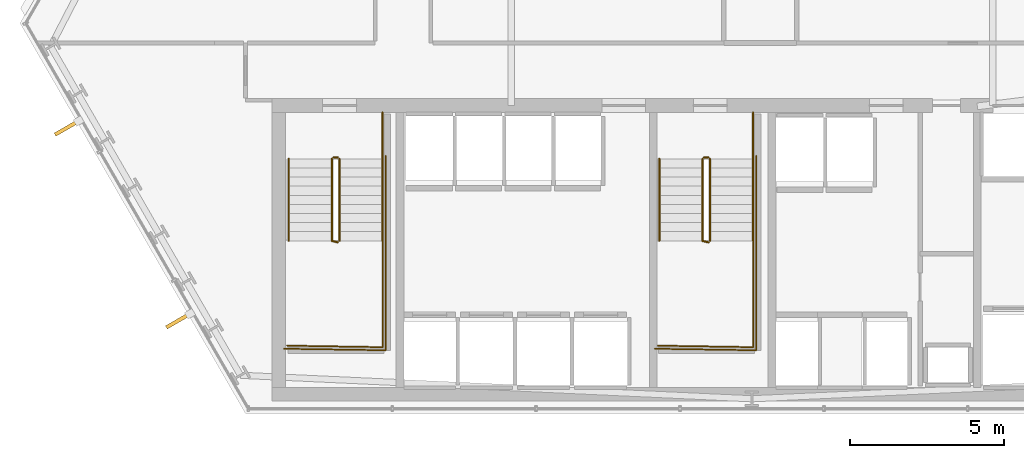
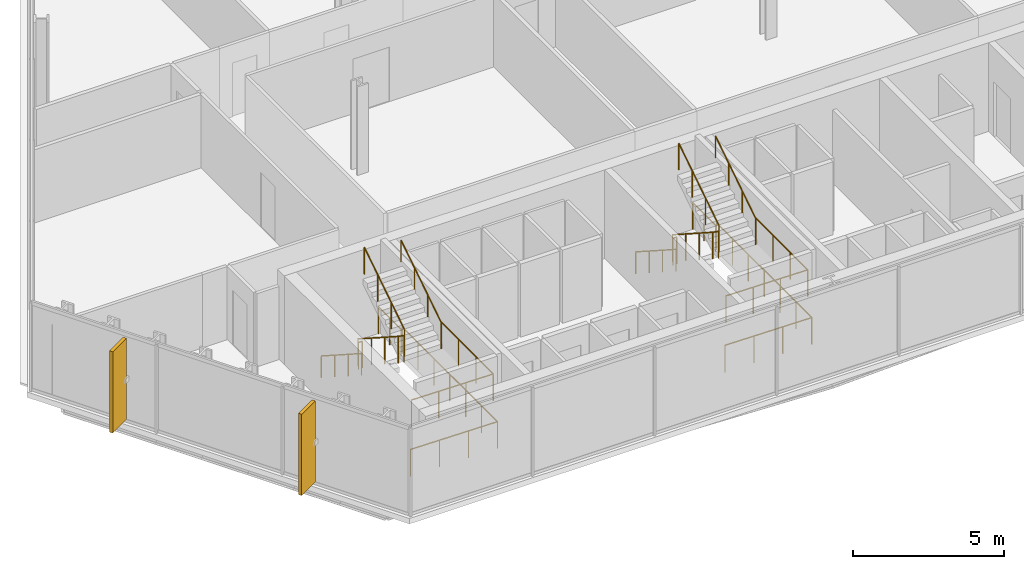
# One storey, part 30 of 33: 16 railings, 2 shading devices.
"""IFC4 building model written with IfcOpenShell, lengths in metres."""

from ifc_helpers import new_model, si_unit, direction, frame, origin, origin_2d, place, context, subcontext, project, spatial, rectangle, circle, extrude, material, layer, layer_set, type_object, element, save


model = new_model("IFC4")

# Units and contexts
model_context = context("Model", 3, precision=1e-05, world=origin(), true_north=direction((0.0, 1.0)))
body_context = subcontext(model_context, "Body", "Model", "MODEL_VIEW")
ifc_project = project(units=[si_unit("LENGTHUNIT", "METRE"), si_unit("AREAUNIT", "SQUARE_METRE"), si_unit("VOLUMEUNIT", "CUBIC_METRE"), si_unit("PLANEANGLEUNIT", "RADIAN"), si_unit("MASSUNIT", "GRAM", prefix="KILO")], contexts=[model_context])

# Site, building, storey
site_placement = place(None, origin())
site = spatial("IfcSite", under=ifc_project, at=site_placement, CompositionType="ELEMENT")
building_placement = place(site_placement, origin())
building = spatial("IfcBuilding", under=site, at=building_placement, Name="Ndaravel Arena Tower", CompositionType="ELEMENT")
storey_placement = place(building_placement, frame((0.0, 0.0, 81.60009765625)))
storey = spatial("IfcBuildingStorey", under=building, at=storey_placement, Name="L18", CompositionType="ELEMENT", Elevation=81.60009765625)

# Railings
ifc_material_1 = material(Name="Steel S355", Category="steel")
ifc_layer_1 = layer(ifc_material_1, 0.06005859375)
ifc_layer_set_1 = layer_set([ifc_layer_1], Name="Steel S355")
railing_type_1 = type_object("IfcRailingType", Name="RAIL-STAIR-GD1100", PredefinedType="GUARDRAIL", material=ifc_layer_set_1)
railing_1_placement = place(storey_placement, frame((28.39990234375, 13.25, 0.18994140625)))
element("IfcRailing", 1, at=railing_1_placement, inside=storey, type_object=railing_type_1, Name="L18 ST-1 stair guard 1", PredefinedType="GUARDRAIL", context=body_context, shape_type="SweptSolid", body=[
    extrude(circle(Radius=0.02392578125, at=origin_2d()), frame((0.0, 0.0, 1.076171875), z_axis=(0.0, -0.840723540582, 0.54146461409), x_axis=(1.0, 0.0, 0.0)), (0.0, 0.0, 1.0), 3.157958984375),
    extrude(circle(Radius=0.02392578125, at=origin_2d()), frame((0.0, -2.655029296875, 2.7861328125), z_axis=(0.967074537263, -0.25449329928, 0.0), x_axis=(0.25449329928, 0.967074537263, 0.0)), (0.0, 0.0, 1.0), 0.19677734375),
    extrude(circle(Radius=0.02099609375, at=origin_2d()), origin(), (0.0, 0.0, 1.0), 1.052001953125),
    extrude(circle(Radius=0.02099609375, at=origin_2d()), frame((0.0, -0.885009765625, 0.570068359375)), (0.0, 0.0, 1.0), 1.052001953125),
    extrude(circle(Radius=0.02099609375, at=origin_2d()), frame((0.0, -1.77001953125, 1.139892578125)), (0.0, 0.0, 1.0), 1.052001953125),
    extrude(circle(Radius=0.02099609375, at=origin_2d()), frame((0.0, -2.655029296875, 1.7099609375)), (0.0, 0.0, 1.0), 1.052001953125),
    extrude(circle(Radius=0.02099609375, at=origin_2d()), frame((0.190185546875, -2.705078125, 1.7099609375)), (0.0, 0.0, 1.0), 1.052001953125),
])
railing_2_placement = place(storey_placement, frame((30.0400390625, 10.594970703125, 1.89990234375)))
element("IfcRailing", 2, at=railing_2_placement, inside=storey, type_object=railing_type_1, Name="L18 ST-1 stair guard 2", PredefinedType="GUARDRAIL", context=body_context, shape_type="SweptSolid", body=[
    extrude(circle(Radius=0.02392578125, at=origin_2d()), frame((0.0, 0.0, 1.076171875), z_axis=(0.0, -1.0, 0.0), x_axis=(1.0, 0.0, 0.0)), (0.0, 0.0, 1.0), 3.445068359375),
    extrude(circle(Radius=0.02392578125, at=origin_2d()), frame((0.0, -3.445068359375, 1.076171875), z_axis=(-0.999868861343, 0.016194447071, 0.0), x_axis=(-0.016194447071, -0.999868861343, 0.0)), (0.0, 0.0, 1.0), 3.090576171875),
    extrude(circle(Radius=0.02099609375, at=origin_2d()), origin(), (0.0, 0.0, 1.0), 1.052001953125),
    extrude(circle(Radius=0.02099609375, at=origin_2d()), frame((0.0, -1.1484375, 0.0)), (0.0, 0.0, 1.0), 1.052001953125),
    extrude(circle(Radius=0.02099609375, at=origin_2d()), frame((0.0, -2.296630859375, 0.0)), (0.0, 0.0, 1.0), 1.052001953125),
    extrude(circle(Radius=0.02099609375, at=origin_2d()), frame((0.0, -3.445068359375, 0.0)), (0.0, 0.0, 1.0), 1.052001953125),
    extrude(circle(Radius=0.02099609375, at=origin_2d()), frame((-1.030029296875, -3.428466796875, 0.0)), (0.0, 0.0, 1.0), 1.052001953125),
    extrude(circle(Radius=0.02099609375, at=origin_2d()), frame((-2.06005859375, -3.41162109375, 0.0)), (0.0, 0.0, 1.0), 1.052001953125),
    extrude(circle(Radius=0.02099609375, at=origin_2d()), frame((-3.090087890625, -3.39501953125, 0.0)), (0.0, 0.0, 1.0), 1.052001953125),
])
railing_3_placement = place(storey_placement, frame((28.639892578125, 10.594970703125, 2.08984375)))
element("IfcRailing", 3, at=railing_3_placement, inside=storey, type_object=railing_type_1, Name="L18 ST-1 stair guard 3", PredefinedType="GUARDRAIL", context=body_context, shape_type="SweptSolid", body=[
    extrude(circle(Radius=0.02392578125, at=origin_2d()), frame((0.0, 0.0, 1.076171875), z_axis=(0.0, 0.840723540582, 0.54146461409), x_axis=(-1.0, 0.0, 0.0)), (0.0, 0.0, 1.0), 3.157958984375),
    extrude(circle(Radius=0.02099609375, at=origin_2d()), origin(), (0.0, 0.0, 1.0), 1.052001953125),
    extrude(circle(Radius=0.02099609375, at=origin_2d()), frame((0.0, 0.885009765625, 0.570068359375)), (0.0, 0.0, 1.0), 1.052001953125),
    extrude(circle(Radius=0.02099609375, at=origin_2d()), frame((0.0, 1.77001953125, 1.139892578125)), (0.0, 0.0, 1.0), 1.052001953125),
    extrude(circle(Radius=0.02099609375, at=origin_2d()), frame((0.0, 2.655029296875, 1.7099609375)), (0.0, 0.0, 1.0), 1.052001953125),
])
railing_4_placement = place(storey_placement, frame((28.449951171875, 13.300048828125, 0.0)))
element("IfcRailing", 4, at=railing_4_placement, inside=storey, type_object=railing_type_1, Name="L18 ST-1 stair guard 4", PredefinedType="GUARDRAIL", context=body_context, shape_type="SweptSolid", body=[
    extrude(circle(Radius=0.02392578125, at=origin_2d()), frame((0.0, 0.0, 1.076171875), z_axis=(1.0, 0.0, 0.0), x_axis=(0.0, 1.0, 0.0)), (0.0, 0.0, 1.0), 0.14013671875),
    extrude(circle(Radius=0.02099609375, at=origin_2d()), origin(), (0.0, 0.0, 1.0), 1.052001953125),
    extrude(circle(Radius=0.02099609375, at=origin_2d()), frame((0.14013671875, 0.0, 0.0)), (0.0, 0.0, 1.0), 1.052001953125),
])
railing_5_placement = place(storey_placement, frame((30.0400390625, 14.75, 0.0)))
element("IfcRailing", 5, at=railing_5_placement, inside=storey, type_object=railing_type_1, Name="L18 ST-1 stair guard 5", PredefinedType="GUARDRAIL", context=body_context, shape_type="SweptSolid", body=[
    extrude(circle(Radius=0.02392578125, at=origin_2d()), frame((0.0, 0.0, 1.076171875), z_axis=(0.0, -1.0, 0.0), x_axis=(1.0, 0.0, 0.0)), (0.0, 0.0, 1.0), 1.5),
    extrude(circle(Radius=0.02099609375, at=origin_2d()), origin(), (0.0, 0.0, 1.0), 1.052001953125),
    extrude(circle(Radius=0.02099609375, at=origin_2d()), frame((0.0, -0.75, 0.0)), (0.0, 0.0, 1.0), 1.052001953125),
    extrude(circle(Radius=0.02099609375, at=origin_2d()), frame((0.0, -1.5, 0.0)), (0.0, 0.0, 1.0), 1.052001953125),
])
railing_6_placement = place(storey_placement, frame((30.139892578125, 13.35009765625, 0.0)))
element("IfcRailing", 6, at=railing_6_placement, inside=storey, type_object=railing_type_1, Name="L18 ST-1 stair guard 6", PredefinedType="GUARDRAIL", context=body_context, shape_type="SweptSolid", body=[
    extrude(circle(Radius=0.02392578125, at=origin_2d()), frame((0.0, 0.0, 1.076171875), z_axis=(0.0, -1.0, 0.0), x_axis=(1.0, 0.0, 0.0)), (0.0, 0.0, 1.0), 6.300048828125),
    extrude(circle(Radius=0.02392578125, at=origin_2d()), frame((0.0, -6.300048828125, 1.076171875), z_axis=(-0.999884296952, 0.015211597839, 0.0), x_axis=(-0.015211597839, -0.999884296952, 0.0)), (0.0, 0.0, 1.0), 3.290283203125),
    extrude(circle(Radius=0.02099609375, at=origin_2d()), origin(), (0.0, 0.0, 1.0), 1.052001953125),
    extrude(circle(Radius=0.02099609375, at=origin_2d()), frame((0.0, -1.050048828125, 0.0)), (0.0, 0.0, 1.0), 1.052001953125),
    extrude(circle(Radius=0.02099609375, at=origin_2d()), frame((0.0, -2.10009765625, 0.0)), (0.0, 0.0, 1.0), 1.052001953125),
    extrude(circle(Radius=0.02099609375, at=origin_2d()), frame((0.0, -3.14990234375, 0.0)), (0.0, 0.0, 1.0), 1.052001953125),
    extrude(circle(Radius=0.02099609375, at=origin_2d()), frame((0.0, -4.199951171875, 0.0)), (0.0, 0.0, 1.0), 1.052001953125),
    extrude(circle(Radius=0.02099609375, at=origin_2d()), frame((0.0, -5.25, 0.0)), (0.0, 0.0, 1.0), 1.052001953125),
    extrude(circle(Radius=0.02099609375, at=origin_2d()), frame((0.0, -6.300048828125, 0.0)), (0.0, 0.0, 1.0), 1.052001953125),
    extrude(circle(Radius=0.02099609375, at=origin_2d()), frame((-1.0966796875, -6.283447265625, 0.0)), (0.0, 0.0, 1.0), 1.052001953125),
    extrude(circle(Radius=0.02099609375, at=origin_2d()), frame((-2.193115234375, -6.2666015625, 0.0)), (0.0, 0.0, 1.0), 1.052001953125),
    extrude(circle(Radius=0.02099609375, at=origin_2d()), frame((-3.289794921875, -6.25, 0.0)), (0.0, 0.0, 1.0), 1.052001953125),
])
railing_7_placement = place(storey_placement, frame((40.39990234375, 13.25, 0.18994140625)))
element("IfcRailing", 7, at=railing_7_placement, inside=storey, type_object=railing_type_1, Name="L18 ST-2 stair guard 1", PredefinedType="GUARDRAIL", context=body_context, shape_type="SweptSolid", body=[
    extrude(circle(Radius=0.02392578125, at=origin_2d()), frame((0.0, 0.0, 1.076171875), z_axis=(0.0, -0.840723540582, 0.54146461409), x_axis=(1.0, 0.0, 0.0)), (0.0, 0.0, 1.0), 3.157958984375),
    extrude(circle(Radius=0.02392578125, at=origin_2d()), frame((0.0, -2.655029296875, 2.7861328125), z_axis=(0.967074537263, -0.25449329928, 0.0), x_axis=(0.25449329928, 0.967074537263, 0.0)), (0.0, 0.0, 1.0), 0.19677734375),
    extrude(circle(Radius=0.02099609375, at=origin_2d()), origin(), (0.0, 0.0, 1.0), 1.052001953125),
    extrude(circle(Radius=0.02099609375, at=origin_2d()), frame((0.0, -0.885009765625, 0.570068359375)), (0.0, 0.0, 1.0), 1.052001953125),
    extrude(circle(Radius=0.02099609375, at=origin_2d()), frame((0.0, -1.77001953125, 1.139892578125)), (0.0, 0.0, 1.0), 1.052001953125),
    extrude(circle(Radius=0.02099609375, at=origin_2d()), frame((0.0, -2.655029296875, 1.7099609375)), (0.0, 0.0, 1.0), 1.052001953125),
    extrude(circle(Radius=0.02099609375, at=origin_2d()), frame((0.190185546875, -2.705078125, 1.7099609375)), (0.0, 0.0, 1.0), 1.052001953125),
])
railing_8_placement = place(storey_placement, frame((42.0400390625, 10.594970703125, 1.89990234375)))
element("IfcRailing", 8, at=railing_8_placement, inside=storey, type_object=railing_type_1, Name="L18 ST-2 stair guard 2", PredefinedType="GUARDRAIL", context=body_context, shape_type="SweptSolid", body=[
    extrude(circle(Radius=0.02392578125, at=origin_2d()), frame((0.0, 0.0, 1.076171875), z_axis=(0.0, -1.0, 0.0), x_axis=(1.0, 0.0, 0.0)), (0.0, 0.0, 1.0), 3.445068359375),
    extrude(circle(Radius=0.02392578125, at=origin_2d()), frame((0.0, -3.445068359375, 1.076171875), z_axis=(-0.999868861343, 0.016194447071, 0.0), x_axis=(-0.016194447071, -0.999868861343, 0.0)), (0.0, 0.0, 1.0), 3.090576171875),
    extrude(circle(Radius=0.02099609375, at=origin_2d()), origin(), (0.0, 0.0, 1.0), 1.052001953125),
    extrude(circle(Radius=0.02099609375, at=origin_2d()), frame((0.0, -1.1484375, 0.0)), (0.0, 0.0, 1.0), 1.052001953125),
    extrude(circle(Radius=0.02099609375, at=origin_2d()), frame((0.0, -2.296630859375, 0.0)), (0.0, 0.0, 1.0), 1.052001953125),
    extrude(circle(Radius=0.02099609375, at=origin_2d()), frame((0.0, -3.445068359375, 0.0)), (0.0, 0.0, 1.0), 1.052001953125),
    extrude(circle(Radius=0.02099609375, at=origin_2d()), frame((-1.030029296875, -3.428466796875, 0.0)), (0.0, 0.0, 1.0), 1.052001953125),
    extrude(circle(Radius=0.02099609375, at=origin_2d()), frame((-2.06005859375, -3.41162109375, 0.0)), (0.0, 0.0, 1.0), 1.052001953125),
    extrude(circle(Radius=0.02099609375, at=origin_2d()), frame((-3.090087890625, -3.39501953125, 0.0)), (0.0, 0.0, 1.0), 1.052001953125),
])
railing_9_placement = place(storey_placement, frame((40.639892578125, 10.594970703125, 2.08984375)))
element("IfcRailing", 9, at=railing_9_placement, inside=storey, type_object=railing_type_1, Name="L18 ST-2 stair guard 3", PredefinedType="GUARDRAIL", context=body_context, shape_type="SweptSolid", body=[
    extrude(circle(Radius=0.02392578125, at=origin_2d()), frame((0.0, 0.0, 1.076171875), z_axis=(0.0, 0.840723540582, 0.54146461409), x_axis=(-1.0, 0.0, 0.0)), (0.0, 0.0, 1.0), 3.157958984375),
    extrude(circle(Radius=0.02099609375, at=origin_2d()), origin(), (0.0, 0.0, 1.0), 1.052001953125),
    extrude(circle(Radius=0.02099609375, at=origin_2d()), frame((0.0, 0.885009765625, 0.570068359375)), (0.0, 0.0, 1.0), 1.052001953125),
    extrude(circle(Radius=0.02099609375, at=origin_2d()), frame((0.0, 1.77001953125, 1.139892578125)), (0.0, 0.0, 1.0), 1.052001953125),
    extrude(circle(Radius=0.02099609375, at=origin_2d()), frame((0.0, 2.655029296875, 1.7099609375)), (0.0, 0.0, 1.0), 1.052001953125),
])
railing_10_placement = place(storey_placement, frame((40.449951171875, 13.300048828125, 0.0)))
element("IfcRailing", 10, at=railing_10_placement, inside=storey, type_object=railing_type_1, Name="L18 ST-2 stair guard 4", PredefinedType="GUARDRAIL", context=body_context, shape_type="SweptSolid", body=[
    extrude(circle(Radius=0.02392578125, at=origin_2d()), frame((0.0, 0.0, 1.076171875), z_axis=(1.0, 0.0, 0.0), x_axis=(0.0, 1.0, 0.0)), (0.0, 0.0, 1.0), 0.14013671875),
    extrude(circle(Radius=0.02099609375, at=origin_2d()), origin(), (0.0, 0.0, 1.0), 1.052001953125),
    extrude(circle(Radius=0.02099609375, at=origin_2d()), frame((0.14013671875, 0.0, 0.0)), (0.0, 0.0, 1.0), 1.052001953125),
])
railing_11_placement = place(storey_placement, frame((42.0400390625, 14.75, 0.0)))
element("IfcRailing", 11, at=railing_11_placement, inside=storey, type_object=railing_type_1, Name="L18 ST-2 stair guard 5", PredefinedType="GUARDRAIL", context=body_context, shape_type="SweptSolid", body=[
    extrude(circle(Radius=0.02392578125, at=origin_2d()), frame((0.0, 0.0, 1.076171875), z_axis=(0.0, -1.0, 0.0), x_axis=(1.0, 0.0, 0.0)), (0.0, 0.0, 1.0), 1.5),
    extrude(circle(Radius=0.02099609375, at=origin_2d()), origin(), (0.0, 0.0, 1.0), 1.052001953125),
    extrude(circle(Radius=0.02099609375, at=origin_2d()), frame((0.0, -0.75, 0.0)), (0.0, 0.0, 1.0), 1.052001953125),
    extrude(circle(Radius=0.02099609375, at=origin_2d()), frame((0.0, -1.5, 0.0)), (0.0, 0.0, 1.0), 1.052001953125),
])
railing_12_placement = place(storey_placement, frame((42.139892578125, 13.35009765625, 0.0)))
element("IfcRailing", 12, at=railing_12_placement, inside=storey, type_object=railing_type_1, Name="L18 ST-2 stair guard 6", PredefinedType="GUARDRAIL", context=body_context, shape_type="SweptSolid", body=[
    extrude(circle(Radius=0.02392578125, at=origin_2d()), frame((0.0, 0.0, 1.076171875), z_axis=(0.0, -1.0, 0.0), x_axis=(1.0, 0.0, 0.0)), (0.0, 0.0, 1.0), 6.300048828125),
    extrude(circle(Radius=0.02392578125, at=origin_2d()), frame((0.0, -6.300048828125, 1.076171875), z_axis=(-0.999884296952, 0.015211597839, 0.0), x_axis=(-0.015211597839, -0.999884296952, 0.0)), (0.0, 0.0, 1.0), 3.290283203125),
    extrude(circle(Radius=0.02099609375, at=origin_2d()), origin(), (0.0, 0.0, 1.0), 1.052001953125),
    extrude(circle(Radius=0.02099609375, at=origin_2d()), frame((0.0, -1.050048828125, 0.0)), (0.0, 0.0, 1.0), 1.052001953125),
    extrude(circle(Radius=0.02099609375, at=origin_2d()), frame((0.0, -2.10009765625, 0.0)), (0.0, 0.0, 1.0), 1.052001953125),
    extrude(circle(Radius=0.02099609375, at=origin_2d()), frame((0.0, -3.14990234375, 0.0)), (0.0, 0.0, 1.0), 1.052001953125),
    extrude(circle(Radius=0.02099609375, at=origin_2d()), frame((0.0, -4.199951171875, 0.0)), (0.0, 0.0, 1.0), 1.052001953125),
    extrude(circle(Radius=0.02099609375, at=origin_2d()), frame((0.0, -5.25, 0.0)), (0.0, 0.0, 1.0), 1.052001953125),
    extrude(circle(Radius=0.02099609375, at=origin_2d()), frame((0.0, -6.300048828125, 0.0)), (0.0, 0.0, 1.0), 1.052001953125),
    extrude(circle(Radius=0.02099609375, at=origin_2d()), frame((-1.0966796875, -6.283447265625, 0.0)), (0.0, 0.0, 1.0), 1.052001953125),
    extrude(circle(Radius=0.02099609375, at=origin_2d()), frame((-2.193115234375, -6.2666015625, 0.0)), (0.0, 0.0, 1.0), 1.052001953125),
    extrude(circle(Radius=0.02099609375, at=origin_2d()), frame((-3.289794921875, -6.25, 0.0)), (0.0, 0.0, 1.0), 1.052001953125),
])
ifc_material_2 = material(Name="Steel S355", Category="steel")
ifc_layer_2 = layer(ifc_material_2, 0.050048828125)
ifc_layer_set_2 = layer_set([ifc_layer_2], Name="Steel S355")
railing_type_2 = type_object("IfcRailingType", Name="RAIL-STAIR-HR920", PredefinedType="HANDRAIL", material=ifc_layer_set_2)
railing_13_placement = place(storey_placement, frame((27.0, 13.25, 0.18994140625)))
element("IfcRailing", 13, at=railing_13_placement, inside=storey, type_object=railing_type_2, Name="L18 ST-1 stair handrail 1", PredefinedType="HANDRAIL", context=body_context, shape_type="SweptSolid", body=[
    extrude(circle(Radius=0.02392578125, at=origin_2d()), frame((0.0, 0.0, 0.8759765625), z_axis=(0.0, -0.840723540582, 0.54146461409), x_axis=(1.0, 0.0, 0.0)), (0.0, 0.0, 1.0), 3.157958984375),
    extrude(circle(Radius=0.02099609375, at=origin_2d()), origin(), (0.0, 0.0, 1.0), 0.851806640625),
    extrude(circle(Radius=0.02099609375, at=origin_2d()), frame((0.0, -0.885009765625, 0.570068359375)), (0.0, 0.0, 1.0), 0.851806640625),
    extrude(circle(Radius=0.02099609375, at=origin_2d()), frame((0.0, -1.77001953125, 1.139892578125)), (0.0, 0.0, 1.0), 0.851806640625),
    extrude(circle(Radius=0.02099609375, at=origin_2d()), frame((0.0, -2.655029296875, 1.7099609375)), (0.0, 0.0, 1.0), 0.851806640625),
])
railing_14_placement = place(storey_placement, frame((30.0400390625, 10.594970703125, 2.08984375)))
element("IfcRailing", 14, at=railing_14_placement, inside=storey, type_object=railing_type_2, Name="L18 ST-1 stair handrail 2", PredefinedType="HANDRAIL", context=body_context, shape_type="SweptSolid", body=[
    extrude(circle(Radius=0.02392578125, at=origin_2d()), frame((0.0, 0.0, 0.8759765625), z_axis=(0.0, 0.840723540582, 0.54146461409), x_axis=(-1.0, 0.0, 0.0)), (0.0, 0.0, 1.0), 3.157958984375),
    extrude(circle(Radius=0.02099609375, at=origin_2d()), origin(), (0.0, 0.0, 1.0), 0.851806640625),
    extrude(circle(Radius=0.02099609375, at=origin_2d()), frame((0.0, 0.885009765625, 0.570068359375)), (0.0, 0.0, 1.0), 0.851806640625),
    extrude(circle(Radius=0.02099609375, at=origin_2d()), frame((0.0, 1.77001953125, 1.139892578125)), (0.0, 0.0, 1.0), 0.851806640625),
    extrude(circle(Radius=0.02099609375, at=origin_2d()), frame((0.0, 2.655029296875, 1.7099609375)), (0.0, 0.0, 1.0), 0.851806640625),
])
railing_15_placement = place(storey_placement, frame((39.0, 13.25, 0.18994140625)))
element("IfcRailing", 15, at=railing_15_placement, inside=storey, type_object=railing_type_2, Name="L18 ST-2 stair handrail 1", PredefinedType="HANDRAIL", context=body_context, shape_type="SweptSolid", body=[
    extrude(circle(Radius=0.02392578125, at=origin_2d()), frame((0.0, 0.0, 0.8759765625), z_axis=(0.0, -0.840723540582, 0.54146461409), x_axis=(1.0, 0.0, 0.0)), (0.0, 0.0, 1.0), 3.157958984375),
    extrude(circle(Radius=0.02099609375, at=origin_2d()), origin(), (0.0, 0.0, 1.0), 0.851806640625),
    extrude(circle(Radius=0.02099609375, at=origin_2d()), frame((0.0, -0.885009765625, 0.570068359375)), (0.0, 0.0, 1.0), 0.851806640625),
    extrude(circle(Radius=0.02099609375, at=origin_2d()), frame((0.0, -1.77001953125, 1.139892578125)), (0.0, 0.0, 1.0), 0.851806640625),
    extrude(circle(Radius=0.02099609375, at=origin_2d()), frame((0.0, -2.655029296875, 1.7099609375)), (0.0, 0.0, 1.0), 0.851806640625),
])
railing_16_placement = place(storey_placement, frame((42.0400390625, 10.594970703125, 2.08984375)))
element("IfcRailing", 16, at=railing_16_placement, inside=storey, type_object=railing_type_2, Name="L18 ST-2 stair handrail 2", PredefinedType="HANDRAIL", context=body_context, shape_type="SweptSolid", body=[
    extrude(circle(Radius=0.02392578125, at=origin_2d()), frame((0.0, 0.0, 0.8759765625), z_axis=(0.0, 0.840723540582, 0.54146461409), x_axis=(-1.0, 0.0, 0.0)), (0.0, 0.0, 1.0), 3.157958984375),
    extrude(circle(Radius=0.02099609375, at=origin_2d()), origin(), (0.0, 0.0, 1.0), 0.851806640625),
    extrude(circle(Radius=0.02099609375, at=origin_2d()), frame((0.0, 0.885009765625, 0.570068359375)), (0.0, 0.0, 1.0), 0.851806640625),
    extrude(circle(Radius=0.02099609375, at=origin_2d()), frame((0.0, 1.77001953125, 1.139892578125)), (0.0, 0.0, 1.0), 0.851806640625),
    extrude(circle(Radius=0.02099609375, at=origin_2d()), frame((0.0, 2.655029296875, 1.7099609375)), (0.0, 0.0, 1.0), 0.851806640625),
])

# Shading devices
ifc_material_3 = material(Name="Masonry", Category="masonry")
shading_device_type = type_object("IfcShadingDeviceType", Name="SHD-MAZERAS-FIN", PredefinedType="SHUTTER", material=ifc_material_3)
for number, where, z_axis, x_axis, name in (
    (17, (19.8212890625, 14.2587890625, 0.14990234375), (0.0, 0.0, 1.0), (-0.866025403784, -0.5, 0.0), "L18 Mazeras Stone Solar Fin E6.1"),
    (18, (23.42626953125, 8.014892578125, 0.14990234375), (0.0, 0.0, 1.0), (-0.866025403784, -0.5, 0.0), "L18 Mazeras Stone Solar Fin E6.2"),
):
    element("IfcShadingDevice", number, at=place(storey_placement, frame(where, z_axis=z_axis, x_axis=x_axis)), inside=storey, type_object=shading_device_type, Name=name, PredefinedType="SHUTTER", context=body_context, shape_type="SweptSolid", body=[
        extrude(rectangle(XDim=0.89990234375, YDim=0.1201171875, at=origin_2d()), origin(), (0.0, 0.0, 1.0), 3.280029296875),
    ])

save(model, "model.ifc")
